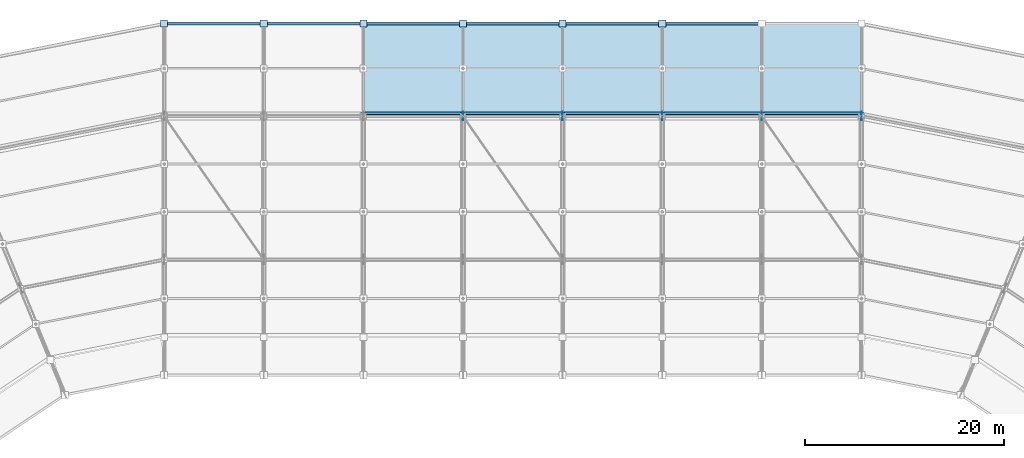
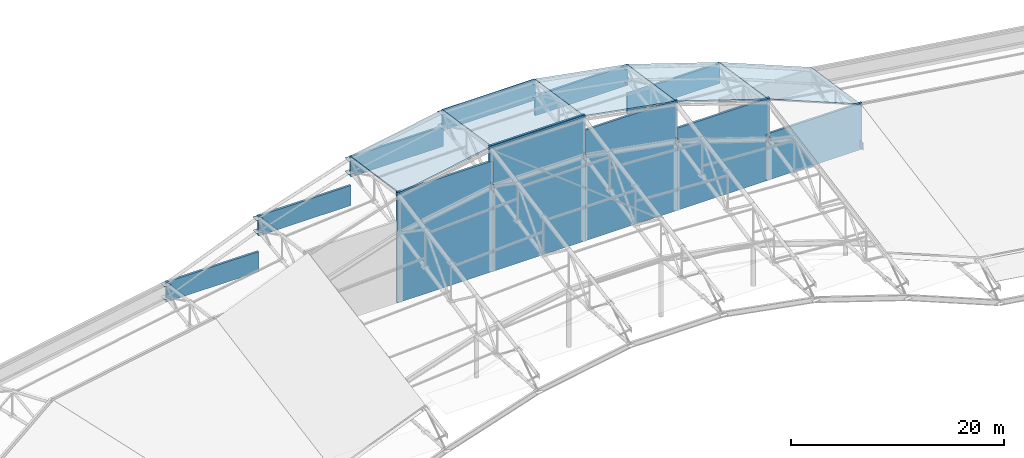
# One storey, part 122 of 146: 28 plates, 5 slabs.
"""IFC4 building model written with IfcOpenShell, lengths in metres."""

from ifc_helpers import new_model, si_unit, direction, frame, origin, origin_2d, place, context, subcontext, project, spatial, polyline, rectangle, outline, extrude, material, layer, layer_set, type_object, element, save


model = new_model("IFC4")

# Units and contexts
model_context = context("Model", 3, precision=1e-05, world=origin(), true_north=direction((0.0, 1.0)))
body_context = subcontext(model_context, "Body", "Model", "MODEL_VIEW")
ifc_project = project(units=[si_unit("LENGTHUNIT", "METRE"), si_unit("AREAUNIT", "SQUARE_METRE"), si_unit("VOLUMEUNIT", "CUBIC_METRE"), si_unit("PLANEANGLEUNIT", "RADIAN"), si_unit("MASSUNIT", "GRAM", prefix="KILO")], contexts=[model_context])

# Site, building, storey
site_placement = place(None, origin())
site = spatial("IfcSite", under=ifc_project, at=site_placement, CompositionType="ELEMENT")
building_placement = place(site_placement, origin())
building = spatial("IfcBuilding", under=site, at=building_placement, Name="Candeia Ridge Stadium", CompositionType="ELEMENT")
storey_placement = place(building_placement, frame((0.0, 0.0, 31.800048828125)))
storey = spatial("IfcBuildingStorey", under=building, at=storey_placement, Name="RF", CompositionType="ELEMENT", Elevation=31.800048828125)

# Plates
ifc_material_1 = material(Name="Aluminium Anodized Warm Bronze", Category="aluminium")
ifc_layer_1 = layer(ifc_material_1, 0.239990234375, Name="Aluminium Anodized Warm Bronze", Category="aluminium")
ifc_layer_set_1 = layer_set([ifc_layer_1], Name="Aluminium Anodized Warm Bronze")
plate_type_1 = type_object("IfcPlateType", Name="Crown Perforated Bronze Acoustic Screen", PredefinedType="SHEET", material=ifc_layer_set_1)
plate_1_placement = place(storey_placement, frame((136.0, 147.280029296875, -0.3251953125), z_axis=(0.0, 0.0, 1.0), x_axis=(-1.0, 0.0, 0.0)))
element("IfcPlate", 1, at=plate_1_placement, inside=storey, type_object=plate_type_1, Name="Crown perforated bronze acoustic screen RF bay 01", PredefinedType="SHEET", context=body_context, shape_type="SweptSolid", body=[
    extrude(rectangle(XDim=10.39990234375, YDim=0.239990234375, at=origin_2d()), origin(), (0.0, 0.0, 1.0), 5.330078125),
])
plate_2_placement = place(storey_placement, frame((126.0, 147.280029296875, -0.3251953125), z_axis=(0.0, 0.0, 1.0), x_axis=(-1.0, 0.0, 0.0)))
element("IfcPlate", 2, at=plate_2_placement, inside=storey, type_object=plate_type_1, Name="Crown perforated bronze acoustic screen RF bay 02", PredefinedType="SHEET", context=body_context, shape_type="SweptSolid", body=[
    extrude(rectangle(XDim=10.39990234375, YDim=0.239990234375, at=origin_2d()), origin(), (0.0, 0.0, 1.0), 9.408447265625),
])
plate_3_placement = place(storey_placement, frame((126.0, 156.300048828125, 5.32861328125), z_axis=(0.0, 0.0, 1.0), x_axis=(-1.0, 0.0, 0.0)))
element("IfcPlate", 3, at=plate_3_placement, inside=storey, type_object=plate_type_1, Name="Saddle roof outer eaves warm-bronze fascia bay 02", PredefinedType="SHEET", context=body_context, shape_type="SweptSolid", body=[
    extrude(rectangle(XDim=10.06005859375, YDim=0.239990234375, at=origin_2d()), origin(), (0.0, 0.0, 1.0), 2.300048828125),
])
plate_4_placement = place(storey_placement, frame((116.0, 147.280029296875, -0.324951171875), z_axis=(0.0, 0.0, 1.0), x_axis=(-1.0, 0.0, 0.0)))
element("IfcPlate", 4, at=plate_4_placement, inside=storey, type_object=plate_type_1, Name="Crown perforated bronze acoustic screen RF bay 03", PredefinedType="SHEET", context=body_context, shape_type="SweptSolid", body=[
    extrude(rectangle(XDim=10.39990234375, YDim=0.239990234375, at=origin_2d()), origin(), (0.0, 0.0, 1.0), 12.67919921875),
])
plate_5_placement = place(storey_placement, frame((116.0, 156.300048828125, 8.59912109375), z_axis=(0.0, 0.0, 1.0), x_axis=(-1.0, 0.0, 0.0)))
element("IfcPlate", 5, at=plate_5_placement, inside=storey, type_object=plate_type_1, Name="Saddle roof outer eaves warm-bronze fascia bay 03", PredefinedType="SHEET", context=body_context, shape_type="SweptSolid", body=[
    extrude(rectangle(XDim=10.06005859375, YDim=0.239990234375, at=origin_2d()), origin(), (0.0, 0.0, 1.0), 2.300048828125),
])
plate_6_placement = place(storey_placement, frame((106.0, 147.280029296875, -0.3251953125), z_axis=(0.0, 0.0, 1.0), x_axis=(-1.0, 0.0, 0.0)))
element("IfcPlate", 6, at=plate_6_placement, inside=storey, type_object=plate_type_1, Name="Crown perforated bronze acoustic screen RF bay 04", PredefinedType="SHEET", context=body_context, shape_type="SweptSolid", body=[
    extrude(rectangle(XDim=10.39990234375, YDim=0.239990234375, at=origin_2d()), origin(), (0.0, 0.0, 1.0), 14.494384765625),
])
plate_7_placement = place(storey_placement, frame((106.0, 156.300048828125, 10.4140625), z_axis=(0.0, 0.0, 1.0), x_axis=(-1.0, 0.0, 0.0)))
element("IfcPlate", 7, at=plate_7_placement, inside=storey, type_object=plate_type_1, Name="Saddle roof outer eaves warm-bronze fascia bay 04", PredefinedType="SHEET", context=body_context, shape_type="SweptSolid", body=[
    extrude(rectangle(XDim=10.06005859375, YDim=0.239990234375, at=origin_2d()), origin(), (0.0, 0.0, 1.0), 2.300048828125),
])
plate_8_placement = place(storey_placement, frame((96.0, 147.280029296875, -0.324951171875), z_axis=(0.0, 0.0, 1.0), x_axis=(-1.0, 0.0, 0.0)))
element("IfcPlate", 8, at=plate_8_placement, inside=storey, type_object=plate_type_1, Name="Crown perforated bronze acoustic screen RF bay 05", PredefinedType="SHEET", context=body_context, shape_type="SweptSolid", body=[
    extrude(rectangle(XDim=10.39990234375, YDim=0.239990234375, at=origin_2d()), origin(), (0.0, 0.0, 1.0), 12.67919921875),
])
for number, where, z_axis, x_axis, name in (
    (9, (96.0, 156.300048828125, 8.59912109375), (0.0, 0.0, 1.0), (-1.0, 0.0, 0.0), "Saddle roof outer eaves warm-bronze fascia bay 05"),
    (10, (86.0, 156.300048828125, 5.32861328125), (0.0, 0.0, 1.0), (-1.0, 0.0, 0.0), "Saddle roof outer eaves warm-bronze fascia bay 06"),
    (11, (76.0, 156.300048828125, 1.25), (0.0, 0.0, 1.0), (-1.0, 0.0, 0.0), "Saddle roof outer eaves warm-bronze fascia bay 07"),
):
    element("IfcPlate", number, at=place(storey_placement, frame(where, z_axis=z_axis, x_axis=x_axis)), inside=storey, type_object=plate_type_1, Name=name, PredefinedType="SHEET", context=body_context, shape_type="SweptSolid", body=[
        extrude(rectangle(XDim=10.06005859375, YDim=0.239990234375, at=origin_2d()), origin(), (0.0, 0.0, 1.0), 2.300048828125),
    ])
ifc_material_2 = material(Name="Steel ASTM A572 Grade 50", Category="steel")
ifc_layer_2 = layer(ifc_material_2, 0.02490234375, Name="Steel ASTM A572 Grade 50", Category="steel")
ifc_layer_set_2 = layer_set([ifc_layer_2], Name="Steel ASTM A572 Grade 50")
plate_type_2 = type_object("IfcPlateType", Name="Hollow Section End Closure Plate CP2", PredefinedType="SHEET", material=ifc_layer_set_2)
for number, where, z_axis, x_axis, name in (
    (12, (121.0, 156.300048828125, 10.61767578125), (0.0, 0.0, 1.0), (1.0, 0.0, 0.0), "Hollow section end closure plate TCAP-EAVE-02"),
    (13, (121.0, 156.300048828125, 9.11767578125), (0.0, 0.0, 1.0), (1.0, 0.0, 0.0), "Hollow section end closure plate BCAP-EAVE-02"),
    (14, (111.0, 156.300048828125, 12.432861328125), (0.0, 0.0, 1.0), (1.0, 0.0, 0.0), "Hollow section end closure plate TCAP-EAVE-03"),
    (15, (111.0, 156.300048828125, 10.932861328125), (0.0, 0.0, 1.0), (1.0, 0.0, 0.0), "Hollow section end closure plate BCAP-EAVE-03"),
    (16, (101.0, 156.300048828125, 12.432861328125), (0.0, 0.0, 1.0), (1.0, 0.0, 0.0), "Hollow section end closure plate TCAP-EAVE-04"),
    (17, (101.0, 156.300048828125, 10.932861328125), (0.0, 0.0, 1.0), (1.0, 0.0, 0.0), "Hollow section end closure plate BCAP-EAVE-04"),
    (18, (91.0, 156.300048828125, 10.61767578125), (0.0, 0.0, 1.0), (1.0, 0.0, 0.0), "Hollow section end closure plate TCAP-EAVE-05"),
    (19, (91.0, 156.300048828125, 9.11767578125), (0.0, 0.0, 1.0), (1.0, 0.0, 0.0), "Hollow section end closure plate BCAP-EAVE-05"),
    (20, (81.0, 156.300048828125, 7.346923828125), (0.0, 0.0, 1.0), (1.0, 0.0, 0.0), "Hollow section end closure plate TCAP-EAVE-06"),
    (21, (81.0, 156.300048828125, 5.846923828125), (0.0, 0.0, 1.0), (1.0, 0.0, 0.0), "Hollow section end closure plate BCAP-EAVE-06"),
    (22, (71.0, 156.300048828125, 3.2685546875), (0.0, 0.0, 1.0), (1.0, 0.0, 0.0), "Hollow section end closure plate TCAP-EAVE-07"),
    (23, (71.0, 156.300048828125, 1.7685546875), (0.0, 0.0, 1.0), (1.0, 0.0, 0.0), "Hollow section end closure plate BCAP-EAVE-07"),
):
    element("IfcPlate", number, at=place(storey_placement, frame(where, z_axis=z_axis, x_axis=x_axis)), inside=storey, type_object=plate_type_2, Name=name, PredefinedType="SHEET", context=body_context, shape_type="SweptSolid", body=[
        extrude(rectangle(XDim=0.719970703125, YDim=0.719970703125, at=origin_2d()), origin(), (0.0, 0.0, 1.0), 0.02490234375),
    ])
ifc_layer_3 = layer(ifc_material_2, 0.028076171875, Name="Steel ASTM A572 Grade 50", Category="steel")
ifc_layer_set_3 = layer_set([ifc_layer_3], Name="Steel ASTM A572 Grade 50")
plate_type_3 = type_object("IfcPlateType", Name="Roof Truss Outer Tie Node Gusset ND-2", PredefinedType="USERDEFINED", material=ifc_layer_set_3)
for number, where, z_axis, x_axis, name in (
    (24, (141.0, 147.0, -0.025146484375), (0.0, 0.0, 1.0), (0.0, 1.0, 0.0), "Roof truss outer support node ND-2 bay 01"),
    (25, (131.0, 147.0, 4.053466796875), (0.0, 0.0, 1.0), (0.0, 1.0, 0.0), "Roof truss outer support node ND-2 bay 02"),
    (26, (121.0, 147.0, 7.32421875), (0.0, 0.0, 1.0), (0.0, 1.0, 0.0), "Roof truss outer support node ND-2 bay 03"),
    (27, (111.0, 147.0, 9.13916015625), (0.0, 0.0, 1.0), (0.0, 1.0, 0.0), "Roof truss outer support node ND-2 bay 04"),
    (28, (101.0, 147.0, 9.13916015625), (0.0, 0.0, 1.0), (0.0, 1.0, 0.0), "Roof truss outer support node ND-2 bay 05"),
):
    element("IfcPlate", number, at=place(storey_placement, frame(where, z_axis=z_axis, x_axis=x_axis)), inside=storey, type_object=plate_type_3, Name=name, ObjectType="GUSSET PLATE", PredefinedType="USERDEFINED", context=body_context, shape_type="SweptSolid", body=[
        extrude(rectangle(XDim=0.85009765625, YDim=0.028076171875, at=origin_2d()), origin(), (0.0, 0.0, 1.0), 0.85009765625),
    ])

# Slabs
ifc_layer_4 = layer(ifc_material_2, 0.1650390625, Name="Steel ASTM A572 Grade 50", Category="steel")
ifc_layer_set_4 = layer_set([ifc_layer_4], Name="Steel ASTM A572 Grade 50")
slab_type = type_object("IfcSlabType", Name="Saddle Eaves Roof Deck 165", PredefinedType="ROOF", material=ifc_layer_set_4)
slab_1_placement = place(storey_placement, frame((141.0, 147.080078125, 4.988037109375), z_axis=(0.373992399417, 0.138068439902, 0.917096936578), x_axis=(-0.925965267125, 1.431252e-06, 0.377608691738)))
element("IfcSlab", 29, at=slab_1_placement, inside=storey, type_object=slab_type, Name="Stadium saddle roof eave deck bay 01", PredefinedType="ROOF", context=body_context, shape_type="SweptSolid", body=[
    extrude(outline(polyline([(0.0, 0.0), (10.799495927621997, 0.0), (10.275411122620989, -9.309112245357149), (-0.5241769946230158, -9.309143458031738), (0.0, 0.0)])), origin(), (0.0, 0.0, -1.0), 0.1650390625),
])
slab_2_placement = place(storey_placement, frame((131.0, 147.080078125, 9.06591796875), z_axis=(0.307756371105, 0.141634158589, 0.940864379794), x_axis=(-0.950445756952, 0.0, 0.310890435831)))
element("IfcSlab", 30, at=slab_2_placement, inside=storey, type_object=slab_type, Name="Stadium saddle roof eave deck bay 02", PredefinedType="ROOF", context=body_context, shape_type="SweptSolid", body=[
    extrude(outline(polyline([(0.0, 0.0), (10.521378970711385, -5.551115123125783e-17), (10.089881869221996, -9.31386310525501), (-0.43149710148939024, -9.313863105255011), (0.0, 0.0)])), origin(), (0.0, 0.0, -1.0), 0.1650390625),
])
slab_3_placement = place(storey_placement, frame((121.0, 147.080078125, 12.3369140625), z_axis=(0.176649599027, 0.1465180153, 0.97330744904), x_axis=(-0.983925976221, 0.0, 0.178576799493)))
element("IfcSlab", 31, at=slab_3_placement, inside=storey, type_object=slab_type, Name="Stadium saddle roof eave deck bay 03", PredefinedType="ROOF", context=body_context, shape_type="SweptSolid", body=[
    extrude(outline(polyline([(0.0, 0.0), (10.163366189807427, 0.0), (9.91551240437846, -9.32055814815147), (-0.24785378542896658, -9.32055814815147), (0.0, 0.0)])), origin(), (0.0, 0.0, -1.0), 0.1650390625),
])
slab_4_placement = place(storey_placement, frame((111.0, 147.080078125, 14.15185546875), z_axis=(0.0, 0.148859001287, 0.988858431595), x_axis=(-1.0, 0.0, 0.0)))
element("IfcSlab", 32, at=slab_4_placement, inside=storey, type_object=slab_type, Name="Stadium saddle roof eave deck bay 04", PredefinedType="ROOF", context=body_context, shape_type="SweptSolid", body=[
    extrude(outline(polyline([(0.0, 0.0), (10.0, 0.0), (10.0, -9.323853049679851), (0.0, -9.323853049679851), (0.0, 0.0)])), origin(), (0.0, 0.0, -1.0), 0.1650390625),
])
slab_5_placement = place(storey_placement, frame((101.0, 147.080078125, 14.15185546875), z_axis=(-0.176649599027, 0.1465180153, 0.97330744904), x_axis=(-0.983925976221, 0.0, -0.178576799493)))
element("IfcSlab", 33, at=slab_5_placement, inside=storey, type_object=slab_type, Name="Stadium saddle roof eave deck bay 05", PredefinedType="ROOF", context=body_context, shape_type="SweptSolid", body=[
    extrude(outline(polyline([(0.0, 0.0), (10.163366189807427, 0.0), (10.411219975236394, -9.32055814815147), (0.24785378542896658, -9.32055814815147), (0.0, 0.0)])), origin(), (0.0, 0.0, -1.0), 0.1650390625),
])

save(model, "model.ifc")
